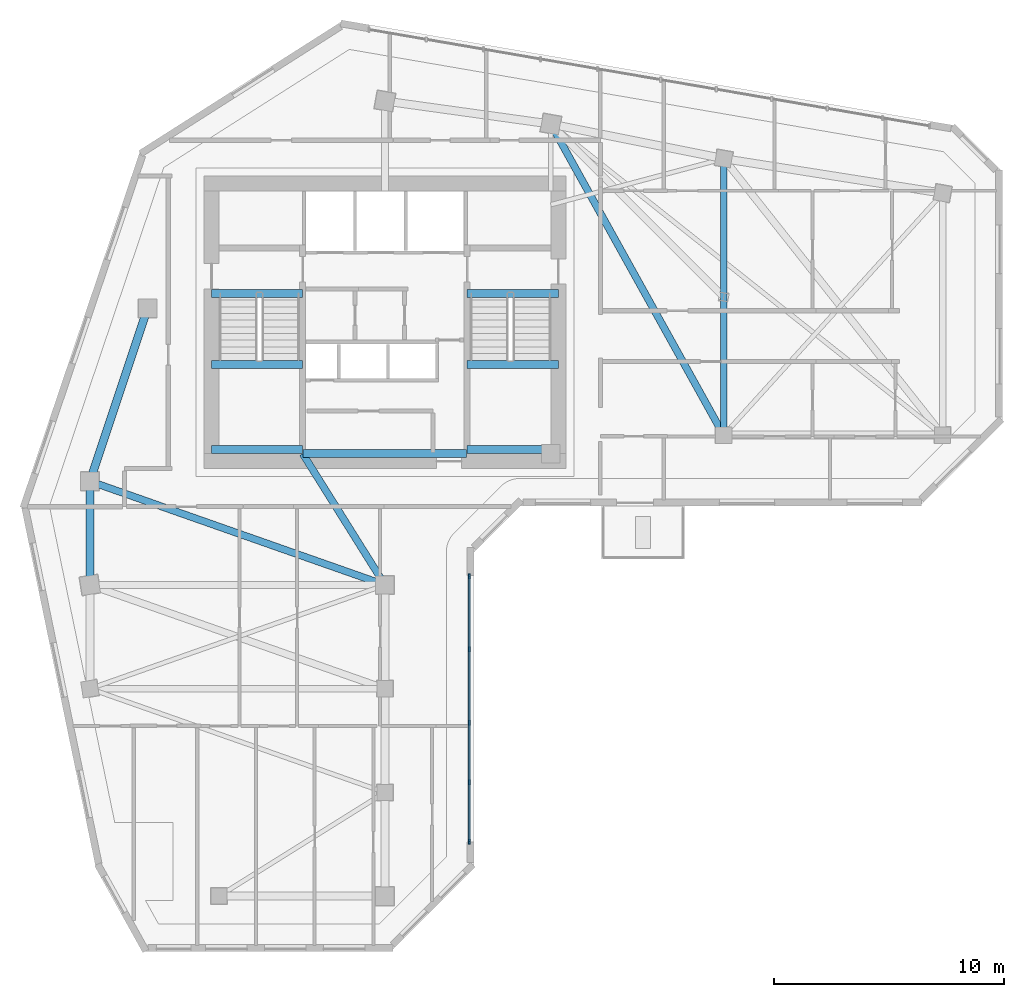
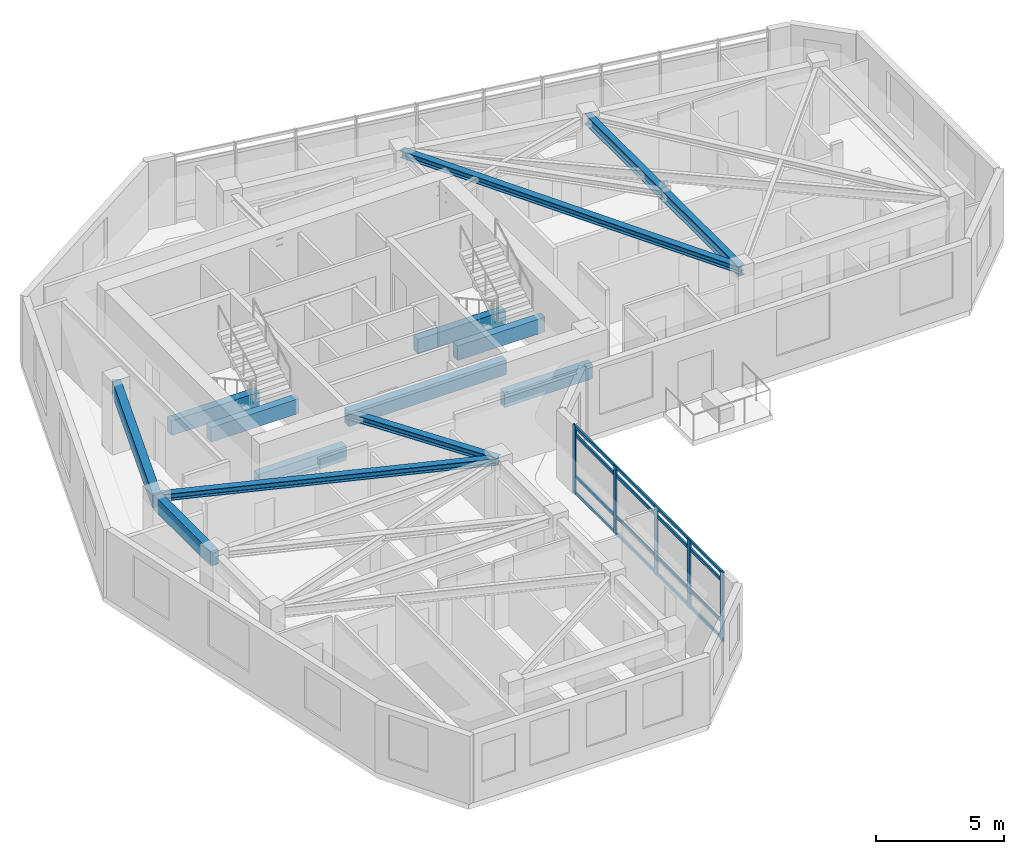
# One storey, part 2 of 11: 13 beams, 9 members, 1 element without a shape of its own.
"""IFC4 building model written with IfcOpenShell, lengths in metres."""

from ifc_helpers import new_model, si_unit, direction, frame, origin, origin_2d, place, context, subcontext, project, spatial, rectangle, i_section, extrude, source, transform, mapped, material, material_profile, profile_set, type_object, element, aggregate, save


model = new_model("IFC4")

# Units and contexts
model_context = context("Model", 3, precision=1e-05, world=origin(), true_north=direction((0.0, 1.0)))
body_context = subcontext(model_context, "Body", "Model", "MODEL_VIEW")
ifc_project = project(units=[si_unit("LENGTHUNIT", "METRE"), si_unit("AREAUNIT", "SQUARE_METRE"), si_unit("VOLUMEUNIT", "CUBIC_METRE"), si_unit("PLANEANGLEUNIT", "RADIAN"), si_unit("MASSUNIT", "GRAM", prefix="KILO")], contexts=[model_context])

# Site, building, storey
site_placement = place(None, origin())
site = spatial("IfcSite", under=ifc_project, at=site_placement, CompositionType="ELEMENT")
building_placement = place(site_placement, origin())
building = spatial("IfcBuilding", under=site, at=building_placement, Name="Calvemar Wedge Station Tower", CompositionType="ELEMENT")
storey_placement = place(building_placement, frame((0.0, 0.0, 186.89990234375)))
storey = spatial("IfcBuildingStorey", under=building, at=storey_placement, Name="L46", CompositionType="ELEMENT", Elevation=186.89990234375)

# Beams
ifc_material_1 = material(Name="Concrete C70", Category="concrete")
ifc_material_profile_1 = material_profile(ifc_material_1, rectangle(XDim=0.35009765625, YDim=0.699951171875, at=origin_2d()), Name="RC350x700")
ifc_profile_set_1 = profile_set([ifc_material_profile_1], Name="Concrete C70")
beam_type_1 = type_object("IfcBeamType", Name="BM-LN1-700", PredefinedType="LINTEL", material=ifc_profile_set_1)
shared_shape_1 = source(origin(), body_context, "Body", "SweptSolid", [
    extrude(rectangle(XDim=0.35009765625, YDim=0.699951171875, at=origin_2d()), origin(), (0.0, 0.0, 1.0), 7.10009765625),
])
beam_1_placement = place(storey_placement, frame((20.25, 34.199951171875, 2.900146484375), z_axis=(1.0, 0.0, 0.0), x_axis=(0.0, 1.0, 0.0)))
element("IfcBeam", 1, at=beam_1_placement, inside=storey, type_object=beam_type_1, Name="Storey L46 Core Coupling Lintel South", PredefinedType="LINTEL", context=body_context, shape_type="MappedRepresentation", body=[
    mapped(shared_shape_1, transform((0.0, 0.0, 0.0), scale=1.0)),
])
ifc_material_2 = material(Name="Structural steel ASTM A572 Grade 50", Category="steel")
ifc_material_profile_2 = material_profile(ifc_material_2, i_section(OverallWidth=0.30908203125, OverallDepth=0.322998046875, WebThickness=0.013916015625, FlangeThickness=0.02294921875, FilletRadius=0.014892578125, at=origin_2d()), Name="W310x143")
ifc_profile_set_2 = profile_set([ifc_material_profile_2], Name="Structural steel ASTM A572 Grade 50")
beam_type_2 = type_object("IfcBeamType", Name="BM-J5-W310H", PredefinedType="JOIST", material=ifc_profile_set_2)
shared_shape_2 = source(origin(), body_context, "Body", "SweptSolid", [
    extrude(i_section(OverallWidth=0.30908203125, OverallDepth=0.322998046875, WebThickness=0.013916015625, FlangeThickness=0.02294921875, FilletRadius=0.014892578125, at=origin_2d()), origin(), (0.0, 0.0, 1.0), 15.443359375),
])
beam_2_placement = place(storey_placement, frame((31.0, 48.5, 3.088623046875), z_axis=(0.485642931179, -0.874157276122, 0.0), x_axis=(0.874157276122, 0.485642931179, 0.0)))
element("IfcBeam", 2, at=beam_2_placement, inside=storey, type_object=beam_type_2, Name="Storey L46 Floor Beam T-N2-T-NL2", PredefinedType="JOIST", context=body_context, shape_type="MappedRepresentation", body=[
    mapped(shared_shape_2, transform((0.0, 0.0, 0.0), scale=1.0)),
])
shared_shape_3 = source(origin(), body_context, "Body", "SweptSolid", [
    extrude(i_section(OverallWidth=0.30908203125, OverallDepth=0.322998046875, WebThickness=0.013916015625, FlangeThickness=0.02294921875, FilletRadius=0.014892578125, at=origin_2d()), origin(), (0.0, 0.0, 1.0), 13.568115234375),
])
beam_3_placement = place(storey_placement, frame((11.0, 33.0, 3.088623046875), z_axis=(0.943398221169, -0.331662171939, 0.0), x_axis=(0.331662171939, 0.943398221169, 0.0)))
element("IfcBeam", 3, at=beam_3_placement, inside=storey, type_object=beam_type_2, Name="Storey L46 Floor Beam T-NW1-T-SE1", PredefinedType="JOIST", context=body_context, shape_type="MappedRepresentation", body=[
    mapped(shared_shape_3, transform((0.0, 0.0, 0.0), scale=1.0)),
])
shared_shape_4 = source(origin(), body_context, "Body", "SweptSolid", [
    extrude(i_section(OverallWidth=0.30908203125, OverallDepth=0.322998046875, WebThickness=0.013916015625, FlangeThickness=0.02294921875, FilletRadius=0.014892578125, at=origin_2d()), origin(), (0.0, 0.0, 1.0), 6.7255859375),
])
beam_4_placement = place(storey_placement, frame((20.22998046875, 34.199951171875, 3.088623046875), z_axis=(0.530811158438, -0.847490126242, 0.0), x_axis=(0.847490126242, 0.530811158438, 0.0)))
element("IfcBeam", 4, at=beam_4_placement, inside=storey, type_object=beam_type_2, Name="Storey L46 Core-to-Column Joist CJ-S2", PredefinedType="JOIST", context=body_context, shape_type="MappedRepresentation", body=[
    mapped(shared_shape_4, transform((0.0, 0.0, 0.0), scale=1.0)),
])
shared_shape_5 = source(origin(), body_context, "Body", "SweptSolid", [
    extrude(rectangle(XDim=0.35009765625, YDim=0.699951171875, at=origin_2d()), origin(), (0.0, 0.0, 1.0), 3.955078125),
])
for number, where, z_axis, x_axis, name in (
    (5, (16.27490234375, 41.14990234375, -0.349853515625), (1.0, 0.0, 0.0), (0.0, 1.0, 0.0), "Storey L46 Stair ST-C1 Landing Trimmer Beam"),
    (6, (16.27490234375, 34.3798828125, 1.2001953125), (1.0, 0.0, 0.0), (0.0, 1.0, 0.0), "Storey L46 Stair ST-C1 Half-Landing Beam 1A"),
    (7, (16.27490234375, 38.070068359375, 1.2001953125), (1.0, 0.0, 0.0), (0.0, 1.0, 0.0), "Storey L46 Stair ST-C1 Half-Landing Beam 1B"),
):
    element("IfcBeam", number, at=place(storey_placement, frame(where, z_axis=z_axis, x_axis=x_axis)), inside=storey, type_object=beam_type_1, Name=name, PredefinedType="LINTEL", context=body_context, shape_type="MappedRepresentation", body=[
        mapped(shared_shape_5, transform((0.0, 0.0, 0.0), scale=1.0)),
    ])
shared_shape_6 = source(origin(), body_context, "Body", "SweptSolid", [
    extrude(rectangle(XDim=0.35009765625, YDim=0.699951171875, at=origin_2d()), origin(), (0.0, 0.0, 1.0), 3.954833984375),
])
for number, where, z_axis, x_axis, name in (
    (8, (27.3701171875, 41.14990234375, -0.349853515625), (1.0, 0.0, 0.0), (0.0, 1.0, 0.0), "Storey L46 Stair ST-C2 Landing Trimmer Beam"),
    (9, (27.3701171875, 34.3798828125, 1.2001953125), (1.0, 0.0, 0.0), (0.0, 1.0, 0.0), "Storey L46 Stair ST-C2 Half-Landing Beam 1A"),
    (10, (27.3701171875, 38.070068359375, 1.2001953125), (1.0, 0.0, 0.0), (0.0, 1.0, 0.0), "Storey L46 Stair ST-C2 Half-Landing Beam 1B"),
):
    element("IfcBeam", number, at=place(storey_placement, frame(where, z_axis=z_axis, x_axis=x_axis)), inside=storey, type_object=beam_type_1, Name=name, PredefinedType="LINTEL", context=body_context, shape_type="MappedRepresentation", body=[
        mapped(shared_shape_6, transform((0.0, 0.0, 0.0), scale=1.0)),
    ])
ifc_material_3 = material(Name="Concrete C50", Category="concrete")
ifc_material_profile_3 = material_profile(ifc_material_3, rectangle(XDim=0.35009765625, YDim=0.699951171875, at=origin_2d()), Name="RC350x700")
ifc_profile_set_3 = profile_set([ifc_material_profile_3], Name="Concrete C50")
beam_type_3 = type_object("IfcBeamType", Name="BM-SP2-700", PredefinedType="SPANDREL", material=ifc_profile_set_3)
shared_shape_7 = source(origin(), body_context, "Body", "SweptSolid", [
    extrude(rectangle(XDim=0.35009765625, YDim=0.699951171875, at=origin_2d()), origin(), (0.0, 0.0, 1.0), 7.90576171875),
])
beam_5_placement = place(storey_placement, frame((11.0, 33.0, 2.900146484375), z_axis=(0.316227766017, 0.948683298051, 0.0), x_axis=(-0.948683298051, 0.316227766017, 0.0)))
element("IfcBeam", 11, at=beam_5_placement, inside=storey, type_object=beam_type_3, Name="Storey L46 Spandrel T-NW1-T-NW2", PredefinedType="SPANDREL", context=body_context, shape_type="MappedRepresentation", body=[
    mapped(shared_shape_7, transform((0.0, 0.0, 0.0), scale=1.0)),
])
ifc_material_profile_4 = material_profile(ifc_material_2, i_section(OverallWidth=0.283935546875, OverallDepth=0.47607421875, WebThickness=0.014892578125, FlangeThickness=0.02392578125, FilletRadius=0.014892578125, at=origin_2d()), Name="W460x158")
ifc_profile_set_4 = profile_set([ifc_material_profile_4], Name="Structural steel ASTM A572 Grade 50")
beam_type_4 = type_object("IfcBeamType", Name="BM-SB5-W460H", PredefinedType="BEAM", material=ifc_profile_set_4)
shared_shape_8 = source(origin(), body_context, "Body", "SweptSolid", [
    extrude(i_section(OverallWidth=0.283935546875, OverallDepth=0.47607421875, WebThickness=0.014892578125, FlangeThickness=0.02392578125, FilletRadius=0.014892578125, at=origin_2d()), origin(), (0.0, 0.0, 1.0), 12.0),
])
beam_6_placement = place(storey_placement, frame((38.5, 47.0, 3.01220703125), z_axis=(0.0, -1.0, 0.0), x_axis=(1.0, 0.0, 0.0)))
element("IfcBeam", 12, at=beam_6_placement, inside=storey, type_object=beam_type_4, Name="Storey L46 Floor Beam T-NU3-T-NL2", PredefinedType="BEAM", context=body_context, shape_type="MappedRepresentation", body=[
    mapped(shared_shape_8, transform((0.0, 0.0, 0.0), scale=1.0)),
])
shared_shape_9 = source(origin(), body_context, "Body", "SweptSolid", [
    extrude(rectangle(XDim=0.35009765625, YDim=0.699951171875, at=origin_2d()), origin(), (0.0, 0.0, 1.0), 4.5),
])
beam_7_placement = place(storey_placement, frame((11.0, 33.0, 2.900146484375), z_axis=(0.0, -1.0, 0.0), x_axis=(1.0, 0.0, 0.0)))
element("IfcBeam", 13, at=beam_7_placement, inside=storey, type_object=beam_type_3, Name="Storey L46 Spandrel T-NW1-T-SW1", PredefinedType="SPANDREL", context=body_context, shape_type="MappedRepresentation", body=[
    mapped(shared_shape_9, transform((0.0, 0.0, 0.0), scale=1.0)),
])

# Curtain wall, members
ifc_material_4 = material(Name="Anodised aluminium 6063-T6", Category="aluminium")
curtain_wall_type = type_object("IfcCurtainWallType", Name="CW3", PredefinedType="NOTDEFINED", material=ifc_material_4)
curtain_wall_placement = place(storey_placement, origin())
curtain_wall = element("IfcCurtainWall", 14, at=curtain_wall_placement, inside=storey, type_object=curtain_wall_type, Name="Storey L46 CW3 Recessed Unitised Curtain Wall 4", PredefinedType="NOTDEFINED")
ifc_material_profile_5 = material_profile(ifc_material_4, rectangle(XDim=0.074951171875, YDim=0.2099609375, at=origin_2d()), Name="AL-MUL-75x210")
ifc_profile_set_5 = profile_set([ifc_material_profile_5], Name="Anodised aluminium 6063-T6")
member_type_1 = type_object("IfcMemberType", Name="CW3-MUL", PredefinedType="MULLION", material=ifc_profile_set_5)
shared_shape_10 = source(origin(), body_context, "Body", "SweptSolid", [
    extrude(rectangle(XDim=0.074951171875, YDim=0.2099609375, at=origin_2d()), origin(), (0.0, 0.0, 1.0), 3.2998046875),
])
member_1_placement = place(storey_placement, frame((27.4541015625, 17.362060546875, -0.0498046875), z_axis=(0.0, 0.0, 1.0), x_axis=(1.0, 0.0, 0.0)))
member_1 = element("IfcMember", 15, at=member_1_placement, type_object=member_type_1, Name="CW3 mullion 1", PredefinedType="MULLION", context=body_context, shape_type="MappedRepresentation", body=[
    mapped(shared_shape_10, transform((0.0, 0.0, 0.0), scale=1.0)),
])
member_2_placement = place(storey_placement, frame((27.4541015625, 19.9423828125, -0.0498046875), z_axis=(0.0, 0.0, 1.0), x_axis=(1.0, 0.0, 0.0)))
member_2 = element("IfcMember", 16, at=member_2_placement, type_object=member_type_1, Name="CW3 mullion 2", PredefinedType="MULLION", context=body_context, shape_type="MappedRepresentation", body=[
    mapped(shared_shape_10, transform((0.0, 0.0, 0.0), scale=1.0)),
])
member_3_placement = place(storey_placement, frame((27.4541015625, 22.52294921875, -0.0498046875), z_axis=(0.0, 0.0, 1.0), x_axis=(1.0, 0.0, 0.0)))
member_3 = element("IfcMember", 17, at=member_3_placement, type_object=member_type_1, Name="CW3 mullion 3", PredefinedType="MULLION", context=body_context, shape_type="MappedRepresentation", body=[
    mapped(shared_shape_10, transform((0.0, 0.0, 0.0), scale=1.0)),
])
member_4_placement = place(storey_placement, frame((27.4541015625, 25.70458984375, -0.0498046875), z_axis=(0.0, 0.0, 1.0), x_axis=(1.0, 0.0, 0.0)))
member_4 = element("IfcMember", 18, at=member_4_placement, type_object=member_type_1, Name="CW3 mullion 4", PredefinedType="MULLION", context=body_context, shape_type="MappedRepresentation", body=[
    mapped(shared_shape_10, transform((0.0, 0.0, 0.0), scale=1.0)),
])
member_5_placement = place(storey_placement, frame((27.4541015625, 28.885986328125, -0.0498046875), z_axis=(0.0, 0.0, 1.0), x_axis=(1.0, 0.0, 0.0)))
member_5 = element("IfcMember", 19, at=member_5_placement, type_object=member_type_1, Name="CW3 mullion 5", PredefinedType="MULLION", context=body_context, shape_type="MappedRepresentation", body=[
    mapped(shared_shape_10, transform((0.0, 0.0, 0.0), scale=1.0)),
])
ifc_material_profile_6 = material_profile(ifc_material_4, rectangle(XDim=0.074951171875, YDim=0.14501953125, at=origin_2d()), Name="AL-TRN-75x145")
ifc_profile_set_6 = profile_set([ifc_material_profile_6], Name="Anodised aluminium 6063-T6")
member_type_2 = type_object("IfcMemberType", Name="CW3-TRN", PredefinedType="USERDEFINED", material=ifc_profile_set_6)
shared_shape_11 = source(origin(), body_context, "Body", "SweptSolid", [
    extrude(rectangle(XDim=0.074951171875, YDim=0.14501953125, at=origin_2d()), origin(), (0.0, 0.0, 1.0), 11.52392578125),
])
member_6_placement = place(storey_placement, frame((27.4541015625, 17.362060546875, 0.06005859375), z_axis=(0.0, 1.0, 0.0), x_axis=(-1.0, 0.0, 0.0)))
member_6 = element("IfcMember", 20, at=member_6_placement, type_object=member_type_2, Name="CW3 transom 1", ObjectType="TRANSOM", PredefinedType="USERDEFINED", context=body_context, shape_type="MappedRepresentation", body=[
    mapped(shared_shape_11, transform((0.0, 0.0, 0.0), scale=1.0)),
])
member_7_placement = place(storey_placement, frame((27.4541015625, 17.362060546875, 0.85009765625), z_axis=(0.0, 1.0, 0.0), x_axis=(-1.0, 0.0, 0.0)))
member_7 = element("IfcMember", 21, at=member_7_placement, type_object=member_type_2, Name="CW3 transom 2", ObjectType="TRANSOM", PredefinedType="USERDEFINED", context=body_context, shape_type="MappedRepresentation", body=[
    mapped(shared_shape_11, transform((0.0, 0.0, 0.0), scale=1.0)),
])
member_8_placement = place(storey_placement, frame((27.4541015625, 17.362060546875, 2.800048828125), z_axis=(0.0, 1.0, 0.0), x_axis=(-1.0, 0.0, 0.0)))
member_8 = element("IfcMember", 22, at=member_8_placement, type_object=member_type_2, Name="CW3 transom 3", ObjectType="TRANSOM", PredefinedType="USERDEFINED", context=body_context, shape_type="MappedRepresentation", body=[
    mapped(shared_shape_11, transform((0.0, 0.0, 0.0), scale=1.0)),
])
member_9_placement = place(storey_placement, frame((27.4541015625, 17.362060546875, 3.190185546875), z_axis=(0.0, 1.0, 0.0), x_axis=(-1.0, 0.0, 0.0)))
member_9 = element("IfcMember", 23, at=member_9_placement, type_object=member_type_2, Name="CW3 transom 4", ObjectType="TRANSOM", PredefinedType="USERDEFINED", context=body_context, shape_type="MappedRepresentation", body=[
    mapped(shared_shape_11, transform((0.0, 0.0, 0.0), scale=1.0)),
])
aggregate(curtain_wall, [member_1, member_2, member_3, member_4, member_5, member_6, member_7, member_8, member_9])

save(model, "model.ifc")
